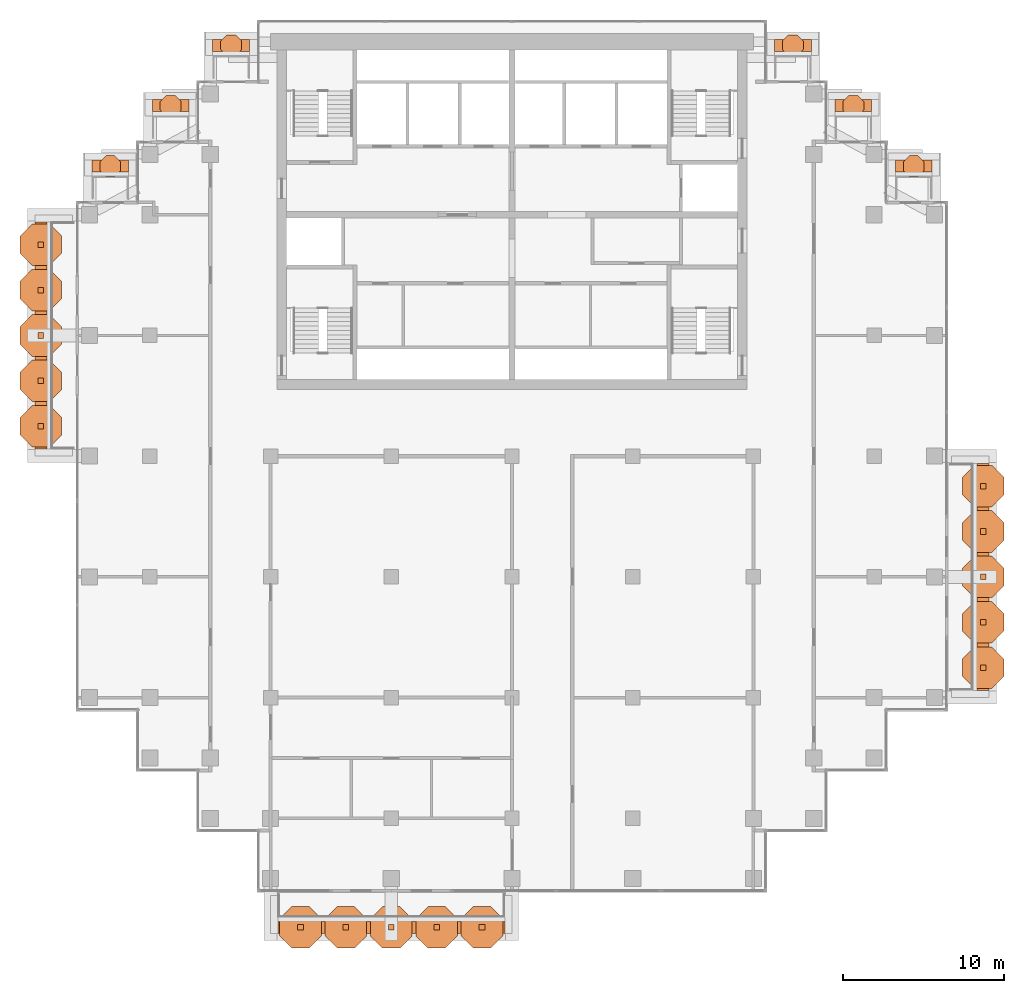
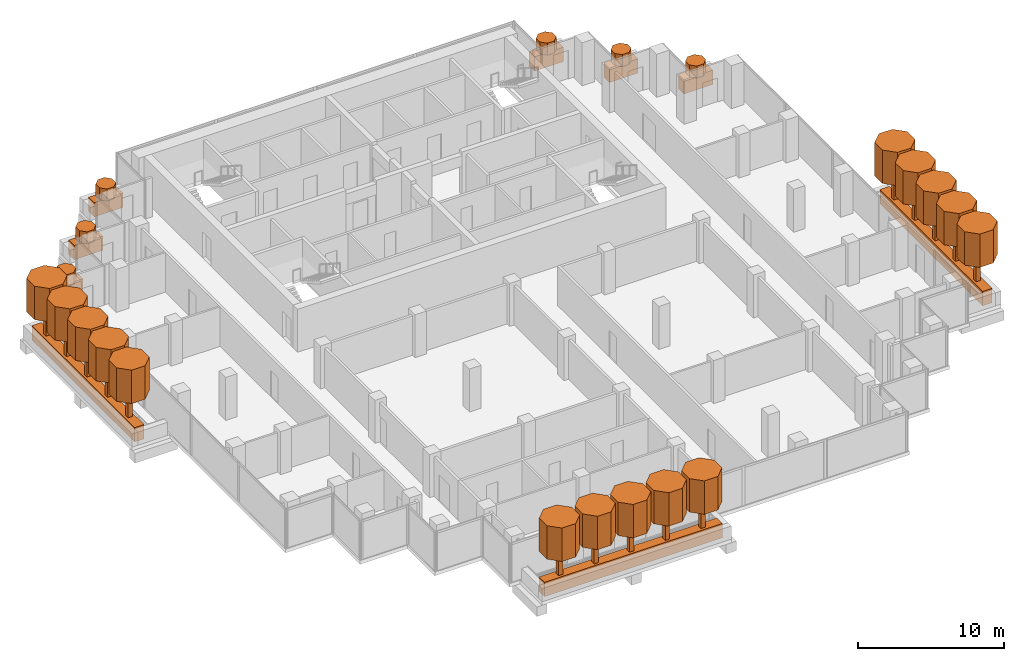
# One storey, part 17 of 17: 45 geographic elements.
"""IFC4 building model written with IfcOpenShell, lengths in metres."""

from ifc_helpers import new_model, si_unit, direction, frame, origin, origin_2d, place, context, subcontext, project, spatial, polyline, rectangle, outline, extrude, material, material_profile, profile_set, type_object, element, save


model = new_model("IFC4")

# Units and contexts
model_context = context("Model", 3, precision=1e-05, world=origin(), true_north=direction((0.0, 1.0)))
body_context = subcontext(model_context, "Body", "Model", "MODEL_VIEW")
ifc_project = project(units=[si_unit("LENGTHUNIT", "METRE"), si_unit("AREAUNIT", "SQUARE_METRE"), si_unit("VOLUMEUNIT", "CUBIC_METRE"), si_unit("PLANEANGLEUNIT", "RADIAN"), si_unit("MASSUNIT", "GRAM", prefix="KILO")], contexts=[model_context])

# Site, building, storey
site_placement = place(None, origin())
site = spatial("IfcSite", under=ifc_project, at=site_placement, CompositionType="ELEMENT")
building_placement = place(site_placement, origin())
building = spatial("IfcBuilding", under=site, at=building_placement, Name="Pilkhan Gate Tower", CompositionType="ELEMENT")
storey_placement = place(building_placement, frame((0.0, 0.0, 206.699951171875)))
storey = spatial("IfcBuildingStorey", under=building, at=storey_placement, Name="L53", CompositionType="ELEMENT", Elevation=206.699951171875)

# Geographic elements
ifc_material_1 = material(Name="Foliage")
ifc_material_profile_1 = material_profile(ifc_material_1, rectangle(XDim=0.75, YDim=1.199951171875, at=origin_2d()), Name="Bed 750x1200")
ifc_profile_set_1 = profile_set([ifc_material_profile_1], Name="Foliage")
geographic_element_type_1 = type_object("IfcGeographicElementType", Name="Planting bed PB1", PredefinedType="USERDEFINED", material=ifc_profile_set_1)
for number, where, z_axis, x_axis, name in (
    (1, (60.449951171875, 38.22509765625, 0.60009765625), (1.0, 0.0, 0.0), (0.0, 1.0, 0.0), "Balcony L53 S planting bed"),
    (2, (104.27490234375, 52.949951171875, 0.60009765625), (0.0, 1.0, 0.0), (-1.0, 0.0, 0.0), "Balcony L53 E planting bed"),
):
    element("IfcGeographicElement", number, at=place(storey_placement, frame(where, z_axis=z_axis, x_axis=x_axis)), inside=storey, type_object=geographic_element_type_1, Name=name, ObjectType="PLANTING BED", PredefinedType="USERDEFINED", context=body_context, shape_type="SweptSolid", body=[
        extrude(rectangle(XDim=0.75, YDim=1.199951171875, at=origin_2d()), origin(), (0.0, 0.0, 1.0), 14.10009765625),
    ])
for number, where, z_axis, x_axis, name in (
    (3, (56.39990234375, 93.02490234375, 0.60009765625), (1.0, 0.0, 0.0), (0.0, 1.0, 0.0), "Balcony L53 N planting bed"),
    (4, (91.300048828125, 93.02490234375, 0.60009765625), (1.0, 0.0, 0.0), (0.0, 1.0, 0.0), "Balcony L53 N planting bed"),
):
    element("IfcGeographicElement", number, at=place(storey_placement, frame(where, z_axis=z_axis, x_axis=x_axis)), inside=storey, type_object=geographic_element_type_1, Name=name, ObjectType="PLANTING BED", PredefinedType="USERDEFINED", context=body_context, shape_type="SweptSolid", body=[
        extrude(rectangle(XDim=0.75, YDim=1.199951171875, at=origin_2d()), origin(), (0.0, 0.0, 1.0), 2.300048828125),
    ])
for number, where, z_axis, x_axis, name in (
    (5, (52.64990234375, 89.27490234375, 0.60009765625), (1.0, 0.0, 0.0), (0.0, 1.0, 0.0), "Balcony L53 N planting bed"),
    (6, (48.89990234375, 85.52490234375, 0.60009765625), (1.0, 0.0, 0.0), (0.0, 1.0, 0.0), "Balcony L53 N planting bed"),
    (7, (95.070068359375, 89.27490234375, 0.60009765625), (1.0, 0.0, 0.0), (0.0, 1.0, 0.0), "Balcony L53 N planting bed"),
    (8, (98.820068359375, 85.52490234375, 0.60009765625), (1.0, 0.0, 0.0), (0.0, 1.0, 0.0), "Balcony L53 N planting bed"),
):
    element("IfcGeographicElement", number, at=place(storey_placement, frame(where, z_axis=z_axis, x_axis=x_axis)), inside=storey, type_object=geographic_element_type_1, Name=name, ObjectType="PLANTING BED", PredefinedType="USERDEFINED", context=body_context, shape_type="SweptSolid", body=[
        extrude(rectangle(XDim=0.75, YDim=1.199951171875, at=origin_2d()), origin(), (0.0, 0.0, 1.0), 2.280029296875),
    ])
geographic_element_placement = place(storey_placement, frame((45.72509765625, 67.949951171875, 0.60009765625), z_axis=(0.0, 1.0, 0.0), x_axis=(-1.0, 0.0, 0.0)))
element("IfcGeographicElement", 9, at=geographic_element_placement, inside=storey, type_object=geographic_element_type_1, Name="Balcony L53 W planting bed", ObjectType="PLANTING BED", PredefinedType="USERDEFINED", context=body_context, shape_type="SweptSolid", body=[
    extrude(rectangle(XDim=0.75, YDim=1.199951171875, at=origin_2d()), origin(), (0.0, 0.0, 1.0), 14.10009765625),
])
ifc_material_profile_2 = material_profile(ifc_material_1, outline(polyline([(0.646728515625, 0.267822265625), (0.267822265625, 0.646728515625), (-0.267822265625, 0.646728515625), (-0.646728515625, 0.267822265625), (-0.646728515625, -0.267822265625), (-0.267822265625, -0.646728515625), (0.267822265625, -0.646728515625), (0.646728515625, -0.267822265625), (0.646728515625, 0.267822265625)])), Name="Shrub D1.4")
ifc_profile_set_2 = profile_set([ifc_material_profile_2], Name="Foliage")
geographic_element_type_2 = type_object("IfcGeographicElementType", Name="Shrub SH07", PredefinedType="USERDEFINED", material=ifc_profile_set_2)
for number, where, z_axis, x_axis, name in (
    (10, (57.550048828125, 93.02490234375, 1.199951171875), (0.0, 0.0, 1.0), (1.0, 0.0, 0.0), "Shrub L53 N 1"),
    (11, (92.449951171875, 93.02490234375, 1.199951171875), (0.0, 0.0, 1.0), (1.0, 0.0, 0.0), "Shrub L53 N 1"),
    (12, (53.7900390625, 89.27490234375, 1.199951171875), (0.0, 0.0, 1.0), (1.0, 0.0, 0.0), "Shrub L53 N 1"),
    (13, (50.0400390625, 85.52490234375, 1.199951171875), (0.0, 0.0, 1.0), (1.0, 0.0, 0.0), "Shrub L53 N 1"),
    (14, (96.2099609375, 89.27490234375, 1.199951171875), (0.0, 0.0, 1.0), (1.0, 0.0, 0.0), "Shrub L53 N 1"),
    (15, (99.9599609375, 85.52490234375, 1.199951171875), (0.0, 0.0, 1.0), (1.0, 0.0, 0.0), "Shrub L53 N 1"),
):
    element("IfcGeographicElement", number, at=place(storey_placement, frame(where, z_axis=z_axis, x_axis=x_axis)), inside=storey, type_object=geographic_element_type_2, Name=name, ObjectType="SHRUB", PredefinedType="USERDEFINED", context=body_context, shape_type="SweptSolid", body=[
        extrude(outline(polyline([(0.646728515625, 0.267822265625), (0.267822265625, 0.646728515625), (-0.267822265625, 0.646728515625), (-0.646728515625, 0.267822265625), (-0.646728515625, -0.267822265625), (-0.267822265625, -0.646728515625), (0.267822265625, -0.646728515625), (0.646728515625, -0.267822265625), (0.646728515625, 0.267822265625)])), origin(), (0.0, 0.0, 1.0), 1.0),
    ])
ifc_material_profile_3 = material_profile(ifc_material_1, outline(polyline([(1.29345703125, 0.535888671875), (0.535888671875, 1.29345703125), (-0.535888671875, 1.29345703125), (-1.29345703125, 0.535888671875), (-1.29345703125, -0.535888671875), (-0.535888671875, -1.29345703125), (0.535888671875, -1.29345703125), (1.29345703125, -0.535888671875), (1.29345703125, 0.535888671875)])), Name="Canopy D2.8")
ifc_profile_set_3 = profile_set([ifc_material_profile_3], Name="Foliage")
geographic_element_type_3 = type_object("IfcGeographicElementType", Name="Tree canopy TC14", PredefinedType="USERDEFINED", material=ifc_profile_set_3)
for number, where, z_axis, x_axis, name in (
    (16, (61.860107421875, 38.22509765625, 3.199951171875), (0.0, 0.0, 1.0), (1.0, 0.0, 0.0), "Tree L53 S 1 canopy"),
    (17, (64.679931640625, 38.22509765625, 3.199951171875), (0.0, 0.0, 1.0), (1.0, 0.0, 0.0), "Tree L53 S 2 canopy"),
    (18, (67.5, 38.22509765625, 3.199951171875), (0.0, 0.0, 1.0), (1.0, 0.0, 0.0), "Tree L53 S 3 canopy"),
    (19, (70.320068359375, 38.22509765625, 3.199951171875), (0.0, 0.0, 1.0), (1.0, 0.0, 0.0), "Tree L53 S 4 canopy"),
    (20, (73.139892578125, 38.22509765625, 3.199951171875), (0.0, 0.0, 1.0), (1.0, 0.0, 0.0), "Tree L53 S 5 canopy"),
    (21, (104.27490234375, 54.360107421875, 3.199951171875), (0.0, 0.0, 1.0), (1.0, 0.0, 0.0), "Tree L53 E 1 canopy"),
    (22, (104.27490234375, 57.179931640625, 3.199951171875), (0.0, 0.0, 1.0), (1.0, 0.0, 0.0), "Tree L53 E 2 canopy"),
    (23, (104.27490234375, 60.0, 3.199951171875), (0.0, 0.0, 1.0), (1.0, 0.0, 0.0), "Tree L53 E 3 canopy"),
    (24, (104.27490234375, 62.820068359375, 3.199951171875), (0.0, 0.0, 1.0), (1.0, 0.0, 0.0), "Tree L53 E 4 canopy"),
    (25, (104.27490234375, 65.639892578125, 3.199951171875), (0.0, 0.0, 1.0), (1.0, 0.0, 0.0), "Tree L53 E 5 canopy"),
    (26, (45.72509765625, 69.360107421875, 3.199951171875), (0.0, 0.0, 1.0), (1.0, 0.0, 0.0), "Tree L53 W 1 canopy"),
    (27, (45.72509765625, 72.179931640625, 3.199951171875), (0.0, 0.0, 1.0), (1.0, 0.0, 0.0), "Tree L53 W 2 canopy"),
    (28, (45.72509765625, 75.0, 3.199951171875), (0.0, 0.0, 1.0), (1.0, 0.0, 0.0), "Tree L53 W 3 canopy"),
    (29, (45.72509765625, 77.820068359375, 3.199951171875), (0.0, 0.0, 1.0), (1.0, 0.0, 0.0), "Tree L53 W 4 canopy"),
    (30, (45.72509765625, 80.639892578125, 3.199951171875), (0.0, 0.0, 1.0), (1.0, 0.0, 0.0), "Tree L53 W 5 canopy"),
):
    element("IfcGeographicElement", number, at=place(storey_placement, frame(where, z_axis=z_axis, x_axis=x_axis)), inside=storey, type_object=geographic_element_type_3, Name=name, ObjectType="TREE", PredefinedType="USERDEFINED", context=body_context, shape_type="SweptSolid", body=[
        extrude(outline(polyline([(1.29345703125, 0.535888671875), (0.535888671875, 1.29345703125), (-0.535888671875, 1.29345703125), (-1.29345703125, 0.535888671875), (-1.29345703125, -0.535888671875), (-0.535888671875, -1.29345703125), (0.535888671875, -1.29345703125), (1.29345703125, -0.535888671875), (1.29345703125, 0.535888671875)])), origin(), (0.0, 0.0, 1.0), 2.800048828125),
    ])
ifc_material_2 = material(Name="Timber trunk", Category="wood")
geographic_element_type_4 = type_object("IfcGeographicElementType", Name="Tree trunk TT1", PredefinedType="USERDEFINED", material=ifc_material_2)
for number, where, z_axis, x_axis, name in (
    (31, (61.860107421875, 38.22509765625, 1.199951171875), (0.0, 0.0, 1.0), (1.0, 0.0, 0.0), "Tree L53 S 1 trunk"),
    (32, (64.679931640625, 38.22509765625, 1.199951171875), (0.0, 0.0, 1.0), (1.0, 0.0, 0.0), "Tree L53 S 2 trunk"),
    (33, (67.5, 38.22509765625, 1.199951171875), (0.0, 0.0, 1.0), (1.0, 0.0, 0.0), "Tree L53 S 3 trunk"),
    (34, (70.320068359375, 38.22509765625, 1.199951171875), (0.0, 0.0, 1.0), (1.0, 0.0, 0.0), "Tree L53 S 4 trunk"),
    (35, (73.139892578125, 38.22509765625, 1.199951171875), (0.0, 0.0, 1.0), (1.0, 0.0, 0.0), "Tree L53 S 5 trunk"),
    (36, (104.27490234375, 54.360107421875, 1.199951171875), (0.0, 0.0, 1.0), (1.0, 0.0, 0.0), "Tree L53 E 1 trunk"),
    (37, (104.27490234375, 57.179931640625, 1.199951171875), (0.0, 0.0, 1.0), (1.0, 0.0, 0.0), "Tree L53 E 2 trunk"),
    (38, (104.27490234375, 60.0, 1.199951171875), (0.0, 0.0, 1.0), (1.0, 0.0, 0.0), "Tree L53 E 3 trunk"),
    (39, (104.27490234375, 62.820068359375, 1.199951171875), (0.0, 0.0, 1.0), (1.0, 0.0, 0.0), "Tree L53 E 4 trunk"),
    (40, (104.27490234375, 65.639892578125, 1.199951171875), (0.0, 0.0, 1.0), (1.0, 0.0, 0.0), "Tree L53 E 5 trunk"),
    (41, (45.72509765625, 69.360107421875, 1.199951171875), (0.0, 0.0, 1.0), (1.0, 0.0, 0.0), "Tree L53 W 1 trunk"),
    (42, (45.72509765625, 72.179931640625, 1.199951171875), (0.0, 0.0, 1.0), (1.0, 0.0, 0.0), "Tree L53 W 2 trunk"),
    (43, (45.72509765625, 75.0, 1.199951171875), (0.0, 0.0, 1.0), (1.0, 0.0, 0.0), "Tree L53 W 3 trunk"),
    (44, (45.72509765625, 77.820068359375, 1.199951171875), (0.0, 0.0, 1.0), (1.0, 0.0, 0.0), "Tree L53 W 4 trunk"),
    (45, (45.72509765625, 80.639892578125, 1.199951171875), (0.0, 0.0, 1.0), (1.0, 0.0, 0.0), "Tree L53 W 5 trunk"),
):
    element("IfcGeographicElement", number, at=place(storey_placement, frame(where, z_axis=z_axis, x_axis=x_axis)), inside=storey, type_object=geographic_element_type_4, Name=name, ObjectType="TREE", PredefinedType="USERDEFINED", context=body_context, shape_type="SweptSolid", body=[
        extrude(rectangle(XDim=0.35009765625, YDim=0.35009765625, at=origin_2d()), origin(), (0.0, 0.0, 1.0), 2.0),
    ])

save(model, "model.ifc")
